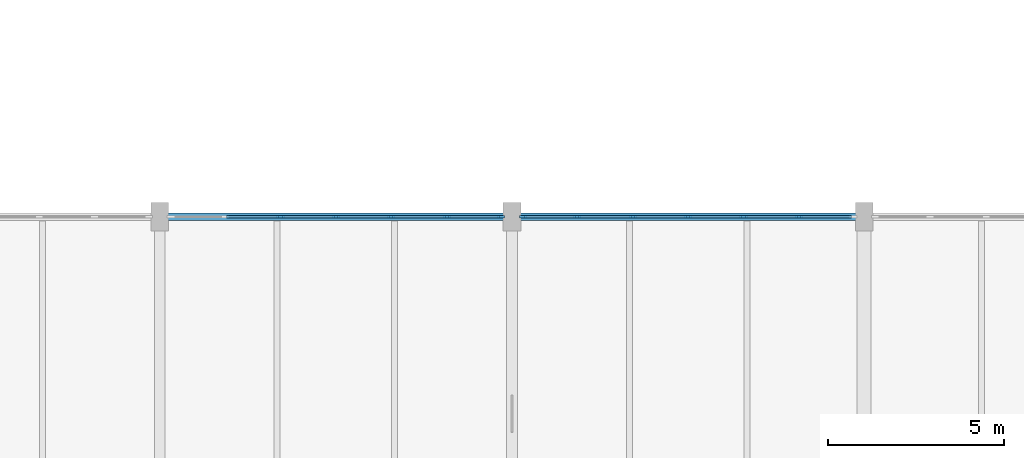
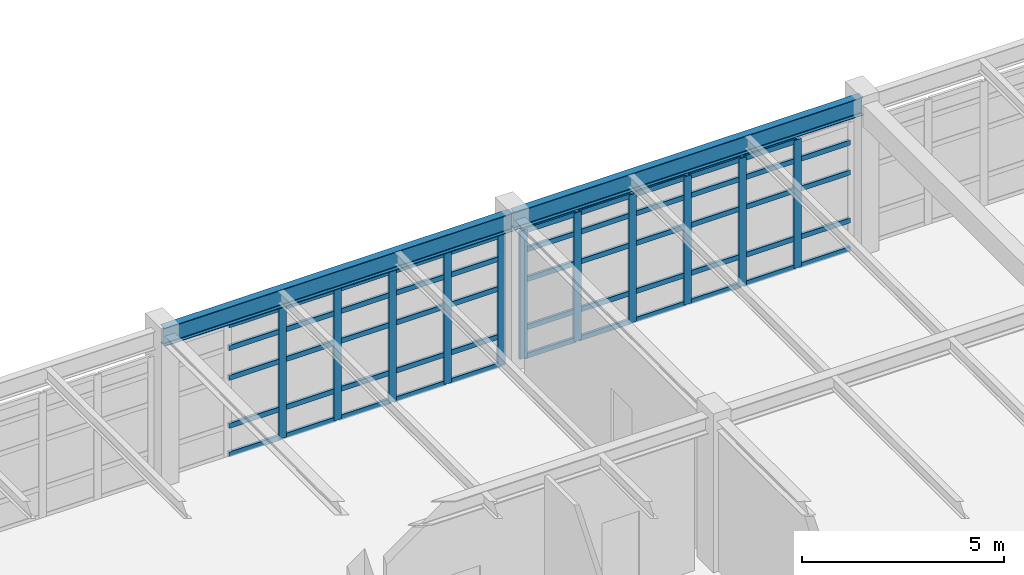
# One storey, part 46 of 139: 65 members, 2 beams, 2 elements without a shape of their own.
"""IFC4 building model written with IfcOpenShell, lengths in metres."""

from ifc_helpers import new_model, si_unit, direction, frame, origin, origin_2d, place, context, subcontext, project, spatial, rectangle, i_section, extrude, material, layer, layer_set, material_profile, profile_set, type_object, element, aggregate, save


model = new_model("IFC4")

# Units and contexts
model_context = context("Model", 3, precision=1e-05, world=origin(), true_north=direction((0.0, 1.0)))
body_context = subcontext(model_context, "Body", "Model", "MODEL_VIEW")
ifc_project = project(units=[si_unit("LENGTHUNIT", "METRE"), si_unit("AREAUNIT", "SQUARE_METRE"), si_unit("VOLUMEUNIT", "CUBIC_METRE"), si_unit("PLANEANGLEUNIT", "RADIAN"), si_unit("MASSUNIT", "GRAM", prefix="KILO"), si_unit("THERMODYNAMICTEMPERATUREUNIT", "KELVIN"), si_unit("POWERUNIT", "WATT")], contexts=[model_context])

# Site, building, storey
site_placement = place(None, origin())
site = spatial("IfcSite", under=ifc_project, at=site_placement, CompositionType="ELEMENT")
building_placement = place(site_placement, origin())
building = spatial("IfcBuilding", under=site, at=building_placement, Name="Korenveer Ferry Terminal", CompositionType="ELEMENT")
storey_placement = place(building_placement, frame((0.0, 0.0, 5.39990234375)))
storey = spatial("IfcBuildingStorey", under=building, at=storey_placement, Name="L01", CompositionType="ELEMENT", Elevation=5.39990234375)

# Curtain wall, members
ifc_material_1 = material(Name="Unitised bronze-and-glass curtain wall", Category="glass")
ifc_layer_1 = layer(ifc_material_1, 0.219970703125)
ifc_layer_set_1 = layer_set([ifc_layer_1], Name="Unitised bronze-and-glass curtain wall")
curtain_wall_type_1 = type_object("IfcCurtainWallType", Name="ENV-CW-49", PredefinedType="USERDEFINED", material=ifc_layer_set_1)
curtain_wall_1_placement = place(storey_placement, frame((10.280029296875, 80.0, 0.0)))
curtain_wall_1 = element("IfcCurtainWall", 1, at=curtain_wall_1_placement, inside=storey, type_object=curtain_wall_type_1, Name="Lancet curtain wall CWX-L01-X10-20-Y80-80", ObjectType="UNITISED CURTAIN WALL", PredefinedType="USERDEFINED")
ifc_material_2 = material(Name="Anodised bronze aluminium", Category="aluminium")
ifc_material_profile_1 = material_profile(ifc_material_2, rectangle(XDim=0.074951171875, YDim=0.219970703125, at=origin_2d()), Name="ALU 75x220")
ifc_profile_set_1 = profile_set([ifc_material_profile_1], Name="Anodised bronze aluminium")
member_type_1 = type_object("IfcMemberType", Name="ENV-CWM-75X220", PredefinedType="MULLION", material=ifc_profile_set_1)
member_1_placement = place(storey_placement, frame((13.4267578125, 80.0, 0.0), z_axis=(0.0, 0.0, 1.0), x_axis=(0.0, 1.0, 0.0)))
member_1 = element("IfcMember", 2, at=member_1_placement, type_object=member_type_1, Name="CW-49 mullion 3", PredefinedType="MULLION", context=body_context, shape_type="SweptSolid", body=[
    extrude(rectangle(XDim=0.074951171875, YDim=0.219970703125, at=origin_2d()), origin(), (0.0, 0.0, 1.0), 3.97021484375),
])
member_2_placement = place(storey_placement, frame((15.0, 80.0, 0.0), z_axis=(0.0, 0.0, 1.0), x_axis=(0.0, 1.0, 0.0)))
member_2 = element("IfcMember", 3, at=member_2_placement, type_object=member_type_1, Name="CW-49 mullion 4", PredefinedType="MULLION", context=body_context, shape_type="SweptSolid", body=[
    extrude(rectangle(XDim=0.074951171875, YDim=0.219970703125, at=origin_2d()), origin(), (0.0, 0.0, 1.0), 3.97021484375),
])
member_3_placement = place(storey_placement, frame((16.5732421875, 80.0, 0.0), z_axis=(0.0, 0.0, 1.0), x_axis=(0.0, 1.0, 0.0)))
member_3 = element("IfcMember", 4, at=member_3_placement, type_object=member_type_1, Name="CW-49 mullion 5", PredefinedType="MULLION", context=body_context, shape_type="SweptSolid", body=[
    extrude(rectangle(XDim=0.074951171875, YDim=0.219970703125, at=origin_2d()), origin(), (0.0, 0.0, 1.0), 3.97021484375),
])
member_4_placement = place(storey_placement, frame((18.146728515625, 80.0, 0.0), z_axis=(0.0, 0.0, 1.0), x_axis=(0.0, 1.0, 0.0)))
member_4 = element("IfcMember", 5, at=member_4_placement, type_object=member_type_1, Name="CW-49 mullion 6", PredefinedType="MULLION", context=body_context, shape_type="SweptSolid", body=[
    extrude(rectangle(XDim=0.074951171875, YDim=0.219970703125, at=origin_2d()), origin(), (0.0, 0.0, 1.0), 3.97021484375),
])
member_5_placement = place(storey_placement, frame((19.6826171875, 80.0, 0.0), z_axis=(0.0, 0.0, 1.0), x_axis=(0.0, 1.0, 0.0)))
member_5 = element("IfcMember", 6, at=member_5_placement, type_object=member_type_1, Name="CW-49 mullion 7", PredefinedType="MULLION", context=body_context, shape_type="SweptSolid", body=[
    extrude(rectangle(XDim=0.074951171875, YDim=0.219970703125, at=origin_2d()), origin(), (0.0, 0.0, 1.0), 3.97021484375),
])

ifc_layer_2 = layer(ifc_material_1, 0.219970703125)
ifc_layer_set_2 = layer_set([ifc_layer_2], Name="Unitised bronze-and-glass curtain wall")
curtain_wall_type_2 = type_object("IfcCurtainWallType", Name="ENV-CW-50", PredefinedType="USERDEFINED", material=ifc_layer_set_2)
curtain_wall_2_placement = place(storey_placement, frame((20.280029296875, 80.0, 0.0)))
curtain_wall_2 = element("IfcCurtainWall", 7, at=curtain_wall_2_placement, inside=storey, type_object=curtain_wall_type_2, Name="Lancet curtain wall CWX-L01-X20-30-Y80-80", ObjectType="UNITISED CURTAIN WALL", PredefinedType="USERDEFINED")
member_6_placement = place(storey_placement, frame((20.3173828125, 80.0, 0.0), z_axis=(0.0, 0.0, 1.0), x_axis=(0.0, 1.0, 0.0)))
member_6 = element("IfcMember", 8, at=member_6_placement, type_object=member_type_1, Name="CW-50 mullion 1", PredefinedType="MULLION", context=body_context, shape_type="SweptSolid", body=[
    extrude(rectangle(XDim=0.074951171875, YDim=0.219970703125, at=origin_2d()), origin(), (0.0, 0.0, 1.0), 3.8701171875),
])
member_7_placement = place(storey_placement, frame((21.853271484375, 80.0, 0.0), z_axis=(0.0, 0.0, 1.0), x_axis=(0.0, 1.0, 0.0)))
member_7 = element("IfcMember", 9, at=member_7_placement, type_object=member_type_1, Name="CW-50 mullion 2", PredefinedType="MULLION", context=body_context, shape_type="SweptSolid", body=[
    extrude(rectangle(XDim=0.074951171875, YDim=0.219970703125, at=origin_2d()), origin(), (0.0, 0.0, 1.0), 3.8701171875),
])
member_8_placement = place(storey_placement, frame((23.4267578125, 80.0, 0.0), z_axis=(0.0, 0.0, 1.0), x_axis=(0.0, 1.0, 0.0)))
member_8 = element("IfcMember", 10, at=member_8_placement, type_object=member_type_1, Name="CW-50 mullion 3", PredefinedType="MULLION", context=body_context, shape_type="SweptSolid", body=[
    extrude(rectangle(XDim=0.074951171875, YDim=0.219970703125, at=origin_2d()), origin(), (0.0, 0.0, 1.0), 3.8701171875),
])
member_9_placement = place(storey_placement, frame((25.0, 80.0, 0.0), z_axis=(0.0, 0.0, 1.0), x_axis=(0.0, 1.0, 0.0)))
member_9 = element("IfcMember", 11, at=member_9_placement, type_object=member_type_1, Name="CW-50 mullion 4", PredefinedType="MULLION", context=body_context, shape_type="SweptSolid", body=[
    extrude(rectangle(XDim=0.074951171875, YDim=0.219970703125, at=origin_2d()), origin(), (0.0, 0.0, 1.0), 3.8701171875),
])
member_10_placement = place(storey_placement, frame((26.5732421875, 80.0, 0.0), z_axis=(0.0, 0.0, 1.0), x_axis=(0.0, 1.0, 0.0)))
member_10 = element("IfcMember", 12, at=member_10_placement, type_object=member_type_1, Name="CW-50 mullion 5", PredefinedType="MULLION", context=body_context, shape_type="SweptSolid", body=[
    extrude(rectangle(XDim=0.074951171875, YDim=0.219970703125, at=origin_2d()), origin(), (0.0, 0.0, 1.0), 3.8701171875),
])
member_11_placement = place(storey_placement, frame((28.146728515625, 80.0, 0.0), z_axis=(0.0, 0.0, 1.0), x_axis=(0.0, 1.0, 0.0)))
member_11 = element("IfcMember", 13, at=member_11_placement, type_object=member_type_1, Name="CW-50 mullion 6", PredefinedType="MULLION", context=body_context, shape_type="SweptSolid", body=[
    extrude(rectangle(XDim=0.074951171875, YDim=0.219970703125, at=origin_2d()), origin(), (0.0, 0.0, 1.0), 3.8701171875),
])

# Member
ifc_material_profile_2 = material_profile(ifc_material_2, rectangle(XDim=0.074951171875, YDim=0.14990234375, at=origin_2d()), Name="ALU 75x150")
ifc_profile_set_2 = profile_set([ifc_material_profile_2], Name="Anodised bronze aluminium")
member_type_2 = type_object("IfcMemberType", Name="ENV-CWT-75X150", PredefinedType="USERDEFINED", material=ifc_profile_set_2)
member_12_placement = place(storey_placement, frame((11.890869140625, 80.0, 0.03759765625), z_axis=(1.0, 0.0, 0.0), x_axis=(0.0, 1.0, 0.0)))
member_12 = element("IfcMember", 14, at=member_12_placement, type_object=member_type_2, Name="CW-49 transom 2.1", ObjectType="TRANSOM", PredefinedType="USERDEFINED", context=body_context, shape_type="SweptSolid", body=[
    extrude(rectangle(XDim=0.074951171875, YDim=0.14990234375, at=origin_2d()), origin(), (0.0, 0.0, 1.0), 1.498291015625),
])

member_13_placement = place(storey_placement, frame((11.890869140625, 80.0, 0.900146484375), z_axis=(1.0, 0.0, 0.0), x_axis=(0.0, 1.0, 0.0)))
member_13 = element("IfcMember", 15, at=member_13_placement, type_object=member_type_2, Name="CW-49 transom 2.2", ObjectType="TRANSOM", PredefinedType="USERDEFINED", context=body_context, shape_type="SweptSolid", body=[
    extrude(rectangle(XDim=0.074951171875, YDim=0.14990234375, at=origin_2d()), origin(), (0.0, 0.0, 1.0), 1.498291015625),
])

member_14_placement = place(storey_placement, frame((11.890869140625, 80.0, 2.35009765625), z_axis=(1.0, 0.0, 0.0), x_axis=(0.0, 1.0, 0.0)))
member_14 = element("IfcMember", 16, at=member_14_placement, type_object=member_type_2, Name="CW-49 transom 2.3", ObjectType="TRANSOM", PredefinedType="USERDEFINED", context=body_context, shape_type="SweptSolid", body=[
    extrude(rectangle(XDim=0.074951171875, YDim=0.14990234375, at=origin_2d()), origin(), (0.0, 0.0, 1.0), 1.498291015625),
])

member_15_placement = place(storey_placement, frame((11.890869140625, 80.0, 3.25), z_axis=(1.0, 0.0, 0.0), x_axis=(0.0, 1.0, 0.0)))
member_15 = element("IfcMember", 17, at=member_15_placement, type_object=member_type_2, Name="CW-49 transom 2.4", ObjectType="TRANSOM", PredefinedType="USERDEFINED", context=body_context, shape_type="SweptSolid", body=[
    extrude(rectangle(XDim=0.074951171875, YDim=0.14990234375, at=origin_2d()), origin(), (0.0, 0.0, 1.0), 1.498291015625),
])

member_16_placement = place(storey_placement, frame((11.890869140625, 80.0, 3.9326171875), z_axis=(1.0, 0.0, 0.0), x_axis=(0.0, 1.0, 0.0)))
member_16 = element("IfcMember", 18, at=member_16_placement, type_object=member_type_2, Name="CW-49 transom 2.5", ObjectType="TRANSOM", PredefinedType="USERDEFINED", context=body_context, shape_type="SweptSolid", body=[
    extrude(rectangle(XDim=0.074951171875, YDim=0.14990234375, at=origin_2d()), origin(), (0.0, 0.0, 1.0), 1.498291015625),
])

member_17_placement = place(storey_placement, frame((13.464111328125, 80.0, 0.03759765625), z_axis=(1.0, 0.0, 0.0), x_axis=(0.0, 1.0, 0.0)))
member_17 = element("IfcMember", 19, at=member_17_placement, type_object=member_type_2, Name="CW-49 transom 3.1", ObjectType="TRANSOM", PredefinedType="USERDEFINED", context=body_context, shape_type="SweptSolid", body=[
    extrude(rectangle(XDim=0.074951171875, YDim=0.14990234375, at=origin_2d()), origin(), (0.0, 0.0, 1.0), 1.498291015625),
])

member_18_placement = place(storey_placement, frame((13.464111328125, 80.0, 0.900146484375), z_axis=(1.0, 0.0, 0.0), x_axis=(0.0, 1.0, 0.0)))
member_18 = element("IfcMember", 20, at=member_18_placement, type_object=member_type_2, Name="CW-49 transom 3.2", ObjectType="TRANSOM", PredefinedType="USERDEFINED", context=body_context, shape_type="SweptSolid", body=[
    extrude(rectangle(XDim=0.074951171875, YDim=0.14990234375, at=origin_2d()), origin(), (0.0, 0.0, 1.0), 1.498291015625),
])

member_19_placement = place(storey_placement, frame((13.464111328125, 80.0, 2.35009765625), z_axis=(1.0, 0.0, 0.0), x_axis=(0.0, 1.0, 0.0)))
member_19 = element("IfcMember", 21, at=member_19_placement, type_object=member_type_2, Name="CW-49 transom 3.3", ObjectType="TRANSOM", PredefinedType="USERDEFINED", context=body_context, shape_type="SweptSolid", body=[
    extrude(rectangle(XDim=0.074951171875, YDim=0.14990234375, at=origin_2d()), origin(), (0.0, 0.0, 1.0), 1.498291015625),
])

member_20_placement = place(storey_placement, frame((13.464111328125, 80.0, 3.25), z_axis=(1.0, 0.0, 0.0), x_axis=(0.0, 1.0, 0.0)))
member_20 = element("IfcMember", 22, at=member_20_placement, type_object=member_type_2, Name="CW-49 transom 3.4", ObjectType="TRANSOM", PredefinedType="USERDEFINED", context=body_context, shape_type="SweptSolid", body=[
    extrude(rectangle(XDim=0.074951171875, YDim=0.14990234375, at=origin_2d()), origin(), (0.0, 0.0, 1.0), 1.498291015625),
])

member_21_placement = place(storey_placement, frame((13.464111328125, 80.0, 3.9326171875), z_axis=(1.0, 0.0, 0.0), x_axis=(0.0, 1.0, 0.0)))
member_21 = element("IfcMember", 23, at=member_21_placement, type_object=member_type_2, Name="CW-49 transom 3.5", ObjectType="TRANSOM", PredefinedType="USERDEFINED", context=body_context, shape_type="SweptSolid", body=[
    extrude(rectangle(XDim=0.074951171875, YDim=0.14990234375, at=origin_2d()), origin(), (0.0, 0.0, 1.0), 1.498291015625),
])

member_22_placement = place(storey_placement, frame((15.03759765625, 80.0, 0.03759765625), z_axis=(1.0, 0.0, 0.0), x_axis=(0.0, 1.0, 0.0)))
member_22 = element("IfcMember", 24, at=member_22_placement, type_object=member_type_2, Name="CW-49 transom 4.1", ObjectType="TRANSOM", PredefinedType="USERDEFINED", context=body_context, shape_type="SweptSolid", body=[
    extrude(rectangle(XDim=0.074951171875, YDim=0.14990234375, at=origin_2d()), origin(), (0.0, 0.0, 1.0), 1.498291015625),
])

member_23_placement = place(storey_placement, frame((15.03759765625, 80.0, 0.900146484375), z_axis=(1.0, 0.0, 0.0), x_axis=(0.0, 1.0, 0.0)))
member_23 = element("IfcMember", 25, at=member_23_placement, type_object=member_type_2, Name="CW-49 transom 4.2", ObjectType="TRANSOM", PredefinedType="USERDEFINED", context=body_context, shape_type="SweptSolid", body=[
    extrude(rectangle(XDim=0.074951171875, YDim=0.14990234375, at=origin_2d()), origin(), (0.0, 0.0, 1.0), 1.498291015625),
])

member_24_placement = place(storey_placement, frame((15.03759765625, 80.0, 2.35009765625), z_axis=(1.0, 0.0, 0.0), x_axis=(0.0, 1.0, 0.0)))
member_24 = element("IfcMember", 26, at=member_24_placement, type_object=member_type_2, Name="CW-49 transom 4.3", ObjectType="TRANSOM", PredefinedType="USERDEFINED", context=body_context, shape_type="SweptSolid", body=[
    extrude(rectangle(XDim=0.074951171875, YDim=0.14990234375, at=origin_2d()), origin(), (0.0, 0.0, 1.0), 1.498291015625),
])

member_25_placement = place(storey_placement, frame((15.03759765625, 80.0, 3.25), z_axis=(1.0, 0.0, 0.0), x_axis=(0.0, 1.0, 0.0)))
member_25 = element("IfcMember", 27, at=member_25_placement, type_object=member_type_2, Name="CW-49 transom 4.4", ObjectType="TRANSOM", PredefinedType="USERDEFINED", context=body_context, shape_type="SweptSolid", body=[
    extrude(rectangle(XDim=0.074951171875, YDim=0.14990234375, at=origin_2d()), origin(), (0.0, 0.0, 1.0), 1.498291015625),
])

member_26_placement = place(storey_placement, frame((15.03759765625, 80.0, 3.9326171875), z_axis=(1.0, 0.0, 0.0), x_axis=(0.0, 1.0, 0.0)))
member_26 = element("IfcMember", 28, at=member_26_placement, type_object=member_type_2, Name="CW-49 transom 4.5", ObjectType="TRANSOM", PredefinedType="USERDEFINED", context=body_context, shape_type="SweptSolid", body=[
    extrude(rectangle(XDim=0.074951171875, YDim=0.14990234375, at=origin_2d()), origin(), (0.0, 0.0, 1.0), 1.498291015625),
])

member_27_placement = place(storey_placement, frame((16.61083984375, 80.0, 0.03759765625), z_axis=(1.0, 0.0, 0.0), x_axis=(0.0, 1.0, 0.0)))
member_27 = element("IfcMember", 29, at=member_27_placement, type_object=member_type_2, Name="CW-49 transom 5.1", ObjectType="TRANSOM", PredefinedType="USERDEFINED", context=body_context, shape_type="SweptSolid", body=[
    extrude(rectangle(XDim=0.074951171875, YDim=0.14990234375, at=origin_2d()), origin(), (0.0, 0.0, 1.0), 1.498291015625),
])

member_28_placement = place(storey_placement, frame((16.61083984375, 80.0, 0.900146484375), z_axis=(1.0, 0.0, 0.0), x_axis=(0.0, 1.0, 0.0)))
member_28 = element("IfcMember", 30, at=member_28_placement, type_object=member_type_2, Name="CW-49 transom 5.2", ObjectType="TRANSOM", PredefinedType="USERDEFINED", context=body_context, shape_type="SweptSolid", body=[
    extrude(rectangle(XDim=0.074951171875, YDim=0.14990234375, at=origin_2d()), origin(), (0.0, 0.0, 1.0), 1.498291015625),
])

member_29_placement = place(storey_placement, frame((16.61083984375, 80.0, 2.35009765625), z_axis=(1.0, 0.0, 0.0), x_axis=(0.0, 1.0, 0.0)))
member_29 = element("IfcMember", 31, at=member_29_placement, type_object=member_type_2, Name="CW-49 transom 5.3", ObjectType="TRANSOM", PredefinedType="USERDEFINED", context=body_context, shape_type="SweptSolid", body=[
    extrude(rectangle(XDim=0.074951171875, YDim=0.14990234375, at=origin_2d()), origin(), (0.0, 0.0, 1.0), 1.498291015625),
])

member_30_placement = place(storey_placement, frame((16.61083984375, 80.0, 3.25), z_axis=(1.0, 0.0, 0.0), x_axis=(0.0, 1.0, 0.0)))
member_30 = element("IfcMember", 32, at=member_30_placement, type_object=member_type_2, Name="CW-49 transom 5.4", ObjectType="TRANSOM", PredefinedType="USERDEFINED", context=body_context, shape_type="SweptSolid", body=[
    extrude(rectangle(XDim=0.074951171875, YDim=0.14990234375, at=origin_2d()), origin(), (0.0, 0.0, 1.0), 1.498291015625),
])

member_31_placement = place(storey_placement, frame((16.61083984375, 80.0, 3.9326171875), z_axis=(1.0, 0.0, 0.0), x_axis=(0.0, 1.0, 0.0)))
member_31 = element("IfcMember", 33, at=member_31_placement, type_object=member_type_2, Name="CW-49 transom 5.5", ObjectType="TRANSOM", PredefinedType="USERDEFINED", context=body_context, shape_type="SweptSolid", body=[
    extrude(rectangle(XDim=0.074951171875, YDim=0.14990234375, at=origin_2d()), origin(), (0.0, 0.0, 1.0), 1.498291015625),
])

member_32_placement = place(storey_placement, frame((18.18408203125, 80.0, 0.03759765625), z_axis=(1.0, 0.0, 0.0), x_axis=(0.0, 1.0, 0.0)))
member_32 = element("IfcMember", 34, at=member_32_placement, type_object=member_type_2, Name="CW-49 transom 6.1", ObjectType="TRANSOM", PredefinedType="USERDEFINED", context=body_context, shape_type="SweptSolid", body=[
    extrude(rectangle(XDim=0.074951171875, YDim=0.14990234375, at=origin_2d()), origin(), (0.0, 0.0, 1.0), 1.4609375),
])

member_33_placement = place(storey_placement, frame((18.18408203125, 80.0, 0.900146484375), z_axis=(1.0, 0.0, 0.0), x_axis=(0.0, 1.0, 0.0)))
member_33 = element("IfcMember", 35, at=member_33_placement, type_object=member_type_2, Name="CW-49 transom 6.2", ObjectType="TRANSOM", PredefinedType="USERDEFINED", context=body_context, shape_type="SweptSolid", body=[
    extrude(rectangle(XDim=0.074951171875, YDim=0.14990234375, at=origin_2d()), origin(), (0.0, 0.0, 1.0), 1.4609375),
])

member_34_placement = place(storey_placement, frame((18.18408203125, 80.0, 2.35009765625), z_axis=(1.0, 0.0, 0.0), x_axis=(0.0, 1.0, 0.0)))
member_34 = element("IfcMember", 36, at=member_34_placement, type_object=member_type_2, Name="CW-49 transom 6.3", ObjectType="TRANSOM", PredefinedType="USERDEFINED", context=body_context, shape_type="SweptSolid", body=[
    extrude(rectangle(XDim=0.074951171875, YDim=0.14990234375, at=origin_2d()), origin(), (0.0, 0.0, 1.0), 1.4609375),
])

member_35_placement = place(storey_placement, frame((18.18408203125, 80.0, 3.25), z_axis=(1.0, 0.0, 0.0), x_axis=(0.0, 1.0, 0.0)))
member_35 = element("IfcMember", 37, at=member_35_placement, type_object=member_type_2, Name="CW-49 transom 6.4", ObjectType="TRANSOM", PredefinedType="USERDEFINED", context=body_context, shape_type="SweptSolid", body=[
    extrude(rectangle(XDim=0.074951171875, YDim=0.14990234375, at=origin_2d()), origin(), (0.0, 0.0, 1.0), 1.4609375),
])

member_36_placement = place(storey_placement, frame((18.18408203125, 80.0, 3.9326171875), z_axis=(1.0, 0.0, 0.0), x_axis=(0.0, 1.0, 0.0)))
member_36 = element("IfcMember", 38, at=member_36_placement, type_object=member_type_2, Name="CW-49 transom 6.5", ObjectType="TRANSOM", PredefinedType="USERDEFINED", context=body_context, shape_type="SweptSolid", body=[
    extrude(rectangle(XDim=0.074951171875, YDim=0.14990234375, at=origin_2d()), origin(), (0.0, 0.0, 1.0), 1.4609375),
])

aggregate(curtain_wall_1, [member_1, member_2, member_3, member_4, member_5, member_12, member_13, member_14, member_15, member_16, member_17, member_18, member_19, member_20, member_21, member_22, member_23, member_24, member_25, member_26, member_27, member_28, member_29, member_30, member_31, member_32, member_33, member_34, member_35, member_36])

member_37_placement = place(storey_placement, frame((20.35498046875, 80.0, 0.03759765625), z_axis=(1.0, 0.0, 0.0), x_axis=(0.0, 1.0, 0.0)))
member_37 = element("IfcMember", 39, at=member_37_placement, type_object=member_type_2, Name="CW-50 transom 1.1", ObjectType="TRANSOM", PredefinedType="USERDEFINED", context=body_context, shape_type="SweptSolid", body=[
    extrude(rectangle(XDim=0.074951171875, YDim=0.14990234375, at=origin_2d()), origin(), (0.0, 0.0, 1.0), 1.4609375),
])

member_38_placement = place(storey_placement, frame((20.35498046875, 80.0, 0.900146484375), z_axis=(1.0, 0.0, 0.0), x_axis=(0.0, 1.0, 0.0)))
member_38 = element("IfcMember", 40, at=member_38_placement, type_object=member_type_2, Name="CW-50 transom 1.2", ObjectType="TRANSOM", PredefinedType="USERDEFINED", context=body_context, shape_type="SweptSolid", body=[
    extrude(rectangle(XDim=0.074951171875, YDim=0.14990234375, at=origin_2d()), origin(), (0.0, 0.0, 1.0), 1.4609375),
])

member_39_placement = place(storey_placement, frame((20.35498046875, 80.0, 2.35009765625), z_axis=(1.0, 0.0, 0.0), x_axis=(0.0, 1.0, 0.0)))
member_39 = element("IfcMember", 41, at=member_39_placement, type_object=member_type_2, Name="CW-50 transom 1.3", ObjectType="TRANSOM", PredefinedType="USERDEFINED", context=body_context, shape_type="SweptSolid", body=[
    extrude(rectangle(XDim=0.074951171875, YDim=0.14990234375, at=origin_2d()), origin(), (0.0, 0.0, 1.0), 1.4609375),
])

member_40_placement = place(storey_placement, frame((20.35498046875, 80.0, 3.25), z_axis=(1.0, 0.0, 0.0), x_axis=(0.0, 1.0, 0.0)))
member_40 = element("IfcMember", 42, at=member_40_placement, type_object=member_type_2, Name="CW-50 transom 1.4", ObjectType="TRANSOM", PredefinedType="USERDEFINED", context=body_context, shape_type="SweptSolid", body=[
    extrude(rectangle(XDim=0.074951171875, YDim=0.14990234375, at=origin_2d()), origin(), (0.0, 0.0, 1.0), 1.4609375),
])

member_41_placement = place(storey_placement, frame((20.35498046875, 80.0, 3.83251953125), z_axis=(1.0, 0.0, 0.0), x_axis=(0.0, 1.0, 0.0)))
member_41 = element("IfcMember", 43, at=member_41_placement, type_object=member_type_2, Name="CW-50 transom 1.5", ObjectType="TRANSOM", PredefinedType="USERDEFINED", context=body_context, shape_type="SweptSolid", body=[
    extrude(rectangle(XDim=0.074951171875, YDim=0.14990234375, at=origin_2d()), origin(), (0.0, 0.0, 1.0), 1.4609375),
])

member_42_placement = place(storey_placement, frame((21.890869140625, 80.0, 0.03759765625), z_axis=(1.0, 0.0, 0.0), x_axis=(0.0, 1.0, 0.0)))
member_42 = element("IfcMember", 44, at=member_42_placement, type_object=member_type_2, Name="CW-50 transom 2.1", ObjectType="TRANSOM", PredefinedType="USERDEFINED", context=body_context, shape_type="SweptSolid", body=[
    extrude(rectangle(XDim=0.074951171875, YDim=0.14990234375, at=origin_2d()), origin(), (0.0, 0.0, 1.0), 1.498291015625),
])

member_43_placement = place(storey_placement, frame((21.890869140625, 80.0, 0.900146484375), z_axis=(1.0, 0.0, 0.0), x_axis=(0.0, 1.0, 0.0)))
member_43 = element("IfcMember", 45, at=member_43_placement, type_object=member_type_2, Name="CW-50 transom 2.2", ObjectType="TRANSOM", PredefinedType="USERDEFINED", context=body_context, shape_type="SweptSolid", body=[
    extrude(rectangle(XDim=0.074951171875, YDim=0.14990234375, at=origin_2d()), origin(), (0.0, 0.0, 1.0), 1.498291015625),
])

member_44_placement = place(storey_placement, frame((21.890869140625, 80.0, 2.35009765625), z_axis=(1.0, 0.0, 0.0), x_axis=(0.0, 1.0, 0.0)))
member_44 = element("IfcMember", 46, at=member_44_placement, type_object=member_type_2, Name="CW-50 transom 2.3", ObjectType="TRANSOM", PredefinedType="USERDEFINED", context=body_context, shape_type="SweptSolid", body=[
    extrude(rectangle(XDim=0.074951171875, YDim=0.14990234375, at=origin_2d()), origin(), (0.0, 0.0, 1.0), 1.498291015625),
])

member_45_placement = place(storey_placement, frame((21.890869140625, 80.0, 3.25), z_axis=(1.0, 0.0, 0.0), x_axis=(0.0, 1.0, 0.0)))
member_45 = element("IfcMember", 47, at=member_45_placement, type_object=member_type_2, Name="CW-50 transom 2.4", ObjectType="TRANSOM", PredefinedType="USERDEFINED", context=body_context, shape_type="SweptSolid", body=[
    extrude(rectangle(XDim=0.074951171875, YDim=0.14990234375, at=origin_2d()), origin(), (0.0, 0.0, 1.0), 1.498291015625),
])

member_46_placement = place(storey_placement, frame((21.890869140625, 80.0, 3.83251953125), z_axis=(1.0, 0.0, 0.0), x_axis=(0.0, 1.0, 0.0)))
member_46 = element("IfcMember", 48, at=member_46_placement, type_object=member_type_2, Name="CW-50 transom 2.5", ObjectType="TRANSOM", PredefinedType="USERDEFINED", context=body_context, shape_type="SweptSolid", body=[
    extrude(rectangle(XDim=0.074951171875, YDim=0.14990234375, at=origin_2d()), origin(), (0.0, 0.0, 1.0), 1.498291015625),
])

member_47_placement = place(storey_placement, frame((23.464111328125, 80.0, 0.03759765625), z_axis=(1.0, 0.0, 0.0), x_axis=(0.0, 1.0, 0.0)))
member_47 = element("IfcMember", 49, at=member_47_placement, type_object=member_type_2, Name="CW-50 transom 3.1", ObjectType="TRANSOM", PredefinedType="USERDEFINED", context=body_context, shape_type="SweptSolid", body=[
    extrude(rectangle(XDim=0.074951171875, YDim=0.14990234375, at=origin_2d()), origin(), (0.0, 0.0, 1.0), 1.498291015625),
])

member_48_placement = place(storey_placement, frame((23.464111328125, 80.0, 0.900146484375), z_axis=(1.0, 0.0, 0.0), x_axis=(0.0, 1.0, 0.0)))
member_48 = element("IfcMember", 50, at=member_48_placement, type_object=member_type_2, Name="CW-50 transom 3.2", ObjectType="TRANSOM", PredefinedType="USERDEFINED", context=body_context, shape_type="SweptSolid", body=[
    extrude(rectangle(XDim=0.074951171875, YDim=0.14990234375, at=origin_2d()), origin(), (0.0, 0.0, 1.0), 1.498291015625),
])

member_49_placement = place(storey_placement, frame((23.464111328125, 80.0, 2.35009765625), z_axis=(1.0, 0.0, 0.0), x_axis=(0.0, 1.0, 0.0)))
member_49 = element("IfcMember", 51, at=member_49_placement, type_object=member_type_2, Name="CW-50 transom 3.3", ObjectType="TRANSOM", PredefinedType="USERDEFINED", context=body_context, shape_type="SweptSolid", body=[
    extrude(rectangle(XDim=0.074951171875, YDim=0.14990234375, at=origin_2d()), origin(), (0.0, 0.0, 1.0), 1.498291015625),
])

member_50_placement = place(storey_placement, frame((23.464111328125, 80.0, 3.25), z_axis=(1.0, 0.0, 0.0), x_axis=(0.0, 1.0, 0.0)))
member_50 = element("IfcMember", 52, at=member_50_placement, type_object=member_type_2, Name="CW-50 transom 3.4", ObjectType="TRANSOM", PredefinedType="USERDEFINED", context=body_context, shape_type="SweptSolid", body=[
    extrude(rectangle(XDim=0.074951171875, YDim=0.14990234375, at=origin_2d()), origin(), (0.0, 0.0, 1.0), 1.498291015625),
])

member_51_placement = place(storey_placement, frame((23.464111328125, 80.0, 3.83251953125), z_axis=(1.0, 0.0, 0.0), x_axis=(0.0, 1.0, 0.0)))
member_51 = element("IfcMember", 53, at=member_51_placement, type_object=member_type_2, Name="CW-50 transom 3.5", ObjectType="TRANSOM", PredefinedType="USERDEFINED", context=body_context, shape_type="SweptSolid", body=[
    extrude(rectangle(XDim=0.074951171875, YDim=0.14990234375, at=origin_2d()), origin(), (0.0, 0.0, 1.0), 1.498291015625),
])

member_52_placement = place(storey_placement, frame((25.03759765625, 80.0, 0.03759765625), z_axis=(1.0, 0.0, 0.0), x_axis=(0.0, 1.0, 0.0)))
member_52 = element("IfcMember", 54, at=member_52_placement, type_object=member_type_2, Name="CW-50 transom 4.1", ObjectType="TRANSOM", PredefinedType="USERDEFINED", context=body_context, shape_type="SweptSolid", body=[
    extrude(rectangle(XDim=0.074951171875, YDim=0.14990234375, at=origin_2d()), origin(), (0.0, 0.0, 1.0), 1.498291015625),
])

member_53_placement = place(storey_placement, frame((25.03759765625, 80.0, 0.900146484375), z_axis=(1.0, 0.0, 0.0), x_axis=(0.0, 1.0, 0.0)))
member_53 = element("IfcMember", 55, at=member_53_placement, type_object=member_type_2, Name="CW-50 transom 4.2", ObjectType="TRANSOM", PredefinedType="USERDEFINED", context=body_context, shape_type="SweptSolid", body=[
    extrude(rectangle(XDim=0.074951171875, YDim=0.14990234375, at=origin_2d()), origin(), (0.0, 0.0, 1.0), 1.498291015625),
])

member_54_placement = place(storey_placement, frame((25.03759765625, 80.0, 2.35009765625), z_axis=(1.0, 0.0, 0.0), x_axis=(0.0, 1.0, 0.0)))
member_54 = element("IfcMember", 56, at=member_54_placement, type_object=member_type_2, Name="CW-50 transom 4.3", ObjectType="TRANSOM", PredefinedType="USERDEFINED", context=body_context, shape_type="SweptSolid", body=[
    extrude(rectangle(XDim=0.074951171875, YDim=0.14990234375, at=origin_2d()), origin(), (0.0, 0.0, 1.0), 1.498291015625),
])

member_55_placement = place(storey_placement, frame((25.03759765625, 80.0, 3.25), z_axis=(1.0, 0.0, 0.0), x_axis=(0.0, 1.0, 0.0)))
member_55 = element("IfcMember", 57, at=member_55_placement, type_object=member_type_2, Name="CW-50 transom 4.4", ObjectType="TRANSOM", PredefinedType="USERDEFINED", context=body_context, shape_type="SweptSolid", body=[
    extrude(rectangle(XDim=0.074951171875, YDim=0.14990234375, at=origin_2d()), origin(), (0.0, 0.0, 1.0), 1.498291015625),
])

member_56_placement = place(storey_placement, frame((25.03759765625, 80.0, 3.83251953125), z_axis=(1.0, 0.0, 0.0), x_axis=(0.0, 1.0, 0.0)))
member_56 = element("IfcMember", 58, at=member_56_placement, type_object=member_type_2, Name="CW-50 transom 4.5", ObjectType="TRANSOM", PredefinedType="USERDEFINED", context=body_context, shape_type="SweptSolid", body=[
    extrude(rectangle(XDim=0.074951171875, YDim=0.14990234375, at=origin_2d()), origin(), (0.0, 0.0, 1.0), 1.498291015625),
])

member_57_placement = place(storey_placement, frame((26.61083984375, 80.0, 0.03759765625), z_axis=(1.0, 0.0, 0.0), x_axis=(0.0, 1.0, 0.0)))
member_57 = element("IfcMember", 59, at=member_57_placement, type_object=member_type_2, Name="CW-50 transom 5.1", ObjectType="TRANSOM", PredefinedType="USERDEFINED", context=body_context, shape_type="SweptSolid", body=[
    extrude(rectangle(XDim=0.074951171875, YDim=0.14990234375, at=origin_2d()), origin(), (0.0, 0.0, 1.0), 1.498291015625),
])

member_58_placement = place(storey_placement, frame((26.61083984375, 80.0, 0.900146484375), z_axis=(1.0, 0.0, 0.0), x_axis=(0.0, 1.0, 0.0)))
member_58 = element("IfcMember", 60, at=member_58_placement, type_object=member_type_2, Name="CW-50 transom 5.2", ObjectType="TRANSOM", PredefinedType="USERDEFINED", context=body_context, shape_type="SweptSolid", body=[
    extrude(rectangle(XDim=0.074951171875, YDim=0.14990234375, at=origin_2d()), origin(), (0.0, 0.0, 1.0), 1.498291015625),
])

member_59_placement = place(storey_placement, frame((26.61083984375, 80.0, 2.35009765625), z_axis=(1.0, 0.0, 0.0), x_axis=(0.0, 1.0, 0.0)))
member_59 = element("IfcMember", 61, at=member_59_placement, type_object=member_type_2, Name="CW-50 transom 5.3", ObjectType="TRANSOM", PredefinedType="USERDEFINED", context=body_context, shape_type="SweptSolid", body=[
    extrude(rectangle(XDim=0.074951171875, YDim=0.14990234375, at=origin_2d()), origin(), (0.0, 0.0, 1.0), 1.498291015625),
])

member_60_placement = place(storey_placement, frame((26.61083984375, 80.0, 3.25), z_axis=(1.0, 0.0, 0.0), x_axis=(0.0, 1.0, 0.0)))
member_60 = element("IfcMember", 62, at=member_60_placement, type_object=member_type_2, Name="CW-50 transom 5.4", ObjectType="TRANSOM", PredefinedType="USERDEFINED", context=body_context, shape_type="SweptSolid", body=[
    extrude(rectangle(XDim=0.074951171875, YDim=0.14990234375, at=origin_2d()), origin(), (0.0, 0.0, 1.0), 1.498291015625),
])

member_61_placement = place(storey_placement, frame((26.61083984375, 80.0, 3.83251953125), z_axis=(1.0, 0.0, 0.0), x_axis=(0.0, 1.0, 0.0)))
member_61 = element("IfcMember", 63, at=member_61_placement, type_object=member_type_2, Name="CW-50 transom 5.5", ObjectType="TRANSOM", PredefinedType="USERDEFINED", context=body_context, shape_type="SweptSolid", body=[
    extrude(rectangle(XDim=0.074951171875, YDim=0.14990234375, at=origin_2d()), origin(), (0.0, 0.0, 1.0), 1.498291015625),
])

member_62_placement = place(storey_placement, frame((28.18408203125, 80.0, 0.03759765625), z_axis=(1.0, 0.0, 0.0), x_axis=(0.0, 1.0, 0.0)))
member_62 = element("IfcMember", 64, at=member_62_placement, type_object=member_type_2, Name="CW-50 transom 6.1", ObjectType="TRANSOM", PredefinedType="USERDEFINED", context=body_context, shape_type="SweptSolid", body=[
    extrude(rectangle(XDim=0.074951171875, YDim=0.14990234375, at=origin_2d()), origin(), (0.0, 0.0, 1.0), 1.4609375),
])

member_63_placement = place(storey_placement, frame((28.18408203125, 80.0, 0.900146484375), z_axis=(1.0, 0.0, 0.0), x_axis=(0.0, 1.0, 0.0)))
member_63 = element("IfcMember", 65, at=member_63_placement, type_object=member_type_2, Name="CW-50 transom 6.2", ObjectType="TRANSOM", PredefinedType="USERDEFINED", context=body_context, shape_type="SweptSolid", body=[
    extrude(rectangle(XDim=0.074951171875, YDim=0.14990234375, at=origin_2d()), origin(), (0.0, 0.0, 1.0), 1.4609375),
])

member_64_placement = place(storey_placement, frame((28.18408203125, 80.0, 2.35009765625), z_axis=(1.0, 0.0, 0.0), x_axis=(0.0, 1.0, 0.0)))
member_64 = element("IfcMember", 66, at=member_64_placement, type_object=member_type_2, Name="CW-50 transom 6.3", ObjectType="TRANSOM", PredefinedType="USERDEFINED", context=body_context, shape_type="SweptSolid", body=[
    extrude(rectangle(XDim=0.074951171875, YDim=0.14990234375, at=origin_2d()), origin(), (0.0, 0.0, 1.0), 1.4609375),
])

member_65_placement = place(storey_placement, frame((28.18408203125, 80.0, 3.25), z_axis=(1.0, 0.0, 0.0), x_axis=(0.0, 1.0, 0.0)))
member_65 = element("IfcMember", 67, at=member_65_placement, type_object=member_type_2, Name="CW-50 transom 6.4", ObjectType="TRANSOM", PredefinedType="USERDEFINED", context=body_context, shape_type="SweptSolid", body=[
    extrude(rectangle(XDim=0.074951171875, YDim=0.14990234375, at=origin_2d()), origin(), (0.0, 0.0, 1.0), 1.4609375),
])

aggregate(curtain_wall_2, [member_6, member_7, member_8, member_9, member_10, member_11, member_37, member_38, member_39, member_40, member_41, member_42, member_43, member_44, member_45, member_46, member_47, member_48, member_49, member_50, member_51, member_52, member_53, member_54, member_55, member_56, member_57, member_58, member_59, member_60, member_61, member_62, member_63, member_64, member_65])

# Beams
ifc_material_3 = material(Name="Steel S355", Category="steel")
ifc_material_profile_3 = material_profile(ifc_material_3, i_section(OverallWidth=0.2099609375, OverallDepth=0.550048828125, WebThickness=0.010986328125, FlangeThickness=0.01708984375, FilletRadius=0.02392578125, at=origin_2d()), Name="IPE 550")
ifc_profile_set_3 = profile_set([ifc_material_profile_3], Name="Steel S355")
beam_type = type_object("IfcBeamType", Name="STR-BM-IPE550", PredefinedType="BEAM", material=ifc_profile_set_3)
for number, where, z_axis, x_axis, name in (
    (68, (10.02001953125, 80.0, 4.275146484375), (1.0, 0.0, 0.0), (0.0, 1.0, 0.0), "Primary X girder BMX-L02-X10-20-Y80"),
    (69, (20.02001953125, 80.0, 4.275146484375), (1.0, 0.0, 0.0), (0.0, 1.0, 0.0), "Primary X girder BMX-L02-X20-30-Y80"),
):
    element("IfcBeam", number, at=place(storey_placement, frame(where, z_axis=z_axis, x_axis=x_axis)), inside=storey, type_object=beam_type, Name=name, PredefinedType="BEAM", context=body_context, shape_type="SweptSolid", body=[
        extrude(i_section(OverallWidth=0.2099609375, OverallDepth=0.550048828125, WebThickness=0.010986328125, FlangeThickness=0.01708984375, FilletRadius=0.02392578125, at=origin_2d()), origin(), (0.0, 0.0, 1.0), 9.9599609375),
    ])

save(model, "model.ifc")
